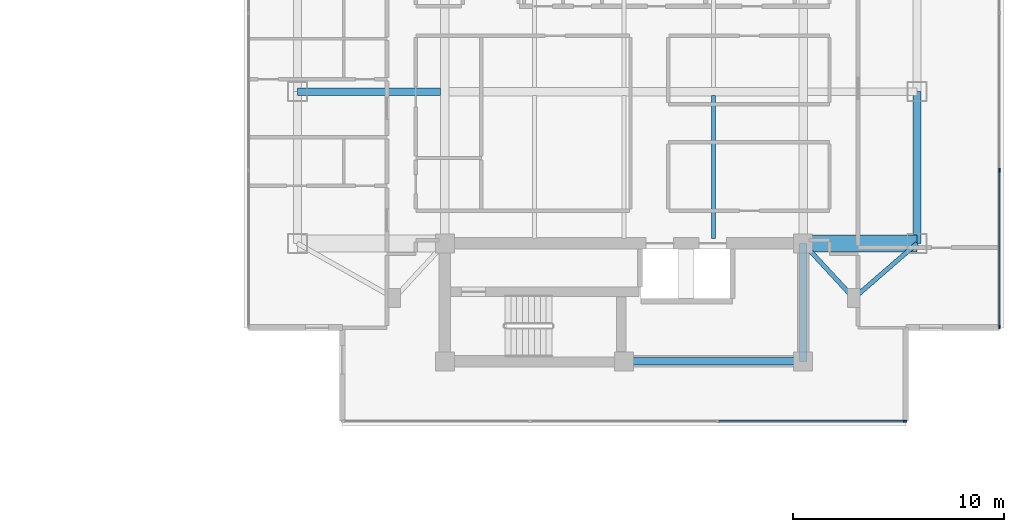
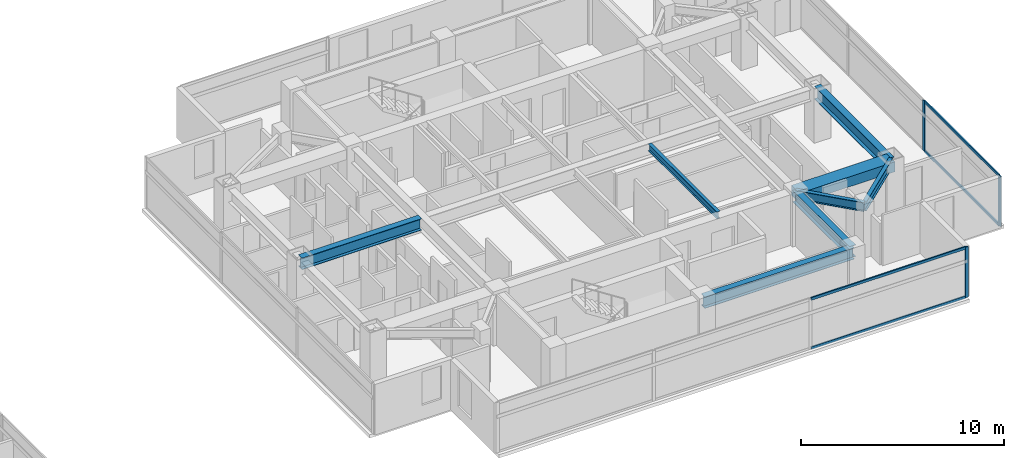
# One storey, part 9 of 26: 8 beams, 7 members, 2 elements without a shape of their own.
"""IFC4 building model written with IfcOpenShell, lengths in metres."""

from ifc_helpers import new_model, si_unit, direction, frame, origin, origin_2d, place, context, subcontext, project, spatial, rectangle, i_section, extrude, material, material_profile, profile_set, type_object, element, aggregate, save


model = new_model("IFC4")

# Units and contexts
model_context = context("Model", 3, precision=1e-05, world=origin(), true_north=direction((0.0, 1.0)))
body_context = subcontext(model_context, "Body", "Model", "MODEL_VIEW")
ifc_project = project(units=[si_unit("LENGTHUNIT", "METRE"), si_unit("AREAUNIT", "SQUARE_METRE"), si_unit("VOLUMEUNIT", "CUBIC_METRE"), si_unit("PLANEANGLEUNIT", "RADIAN"), si_unit("MASSUNIT", "GRAM", prefix="KILO")], contexts=[model_context])

# Site, building, storey
site_placement = place(None, origin())
site = spatial("IfcSite", under=ifc_project, at=site_placement, CompositionType="ELEMENT")
building_placement = place(site_placement, origin())
building = spatial("IfcBuilding", under=site, at=building_placement, Name="Mirazonda Arch Towers", CompositionType="ELEMENT")
storey_placement = place(building_placement, frame((0.0, 0.0, 203.14990234375)))
storey = spatial("IfcBuildingStorey", under=building, at=storey_placement, Name="L58", CompositionType="ELEMENT", Elevation=203.14990234375)

# Beams
ifc_material_1 = material(Name="Steel ASTM A992 Grade 50", Category="steel")
ifc_material_profile_1 = material_profile(ifc_material_1, i_section(OverallWidth=0.381103515625, OverallDepth=0.77294921875, WebThickness=0.0166015625, FlangeThickness=0.027099609375, at=origin_2d()), Name="W30X173")
ifc_profile_set_1 = profile_set([ifc_material_profile_1], Name="Steel ASTM A992 Grade 50")
beam_type_1 = type_object("IfcBeamType", Name="BM-EXT-W30X173", PredefinedType="USERDEFINED", material=ifc_profile_set_1)
beam_1_placement = place(storey_placement, frame((90.39990234375, 20.800048828125, 2.66357421875), z_axis=(0.0, 1.0, 0.0), x_axis=(-1.0, 0.0, 0.0)))
element("IfcBeam", 1, at=beam_1_placement, inside=storey, type_object=beam_type_1, Name="L58 Floor Beam BM-T2-L58-NS-E-20", ObjectType="GIRDER", PredefinedType="USERDEFINED", context=body_context, shape_type="SweptSolid", body=[
    extrude(i_section(OverallWidth=0.381103515625, OverallDepth=0.77294921875, WebThickness=0.0166015625, FlangeThickness=0.027099609375, at=origin_2d()), origin(), (0.0, 0.0, 1.0), 7.199951171875),
])
ifc_material_profile_2 = material_profile(ifc_material_1, i_section(OverallWidth=0.180908203125, OverallDepth=0.4169921875, WebThickness=0.010986328125, FlangeThickness=0.018310546875, at=origin_2d()), Name="W16X57")
ifc_profile_set_2 = profile_set([ifc_material_profile_2], Name="Steel ASTM A992 Grade 50")
beam_type_2 = type_object("IfcBeamType", Name="BM-INT-W16X57", PredefinedType="JOIST", material=ifc_profile_set_2)
beam_2_placement = place(storey_placement, frame((80.75, 21.0400390625, 2.841552734375), z_axis=(0.0, 1.0, 0.0), x_axis=(-1.0, 0.0, 0.0)))
element("IfcBeam", 2, at=beam_2_placement, inside=storey, type_object=beam_type_2, Name="L58 Floor Beam BM-T2-L58-J-807-20", PredefinedType="JOIST", context=body_context, shape_type="SweptSolid", body=[
    extrude(i_section(OverallWidth=0.180908203125, OverallDepth=0.4169921875, WebThickness=0.010986328125, FlangeThickness=0.018310546875, at=origin_2d()), origin(), (0.0, 0.0, 1.0), 6.763916015625),
])
ifc_material_profile_3 = material_profile(ifc_material_1, i_section(OverallWidth=0.214111328125, OverallDepth=0.549072265625, WebThickness=0.0146484375, FlangeThickness=0.023681640625, at=origin_2d()), Name="W21X93")
ifc_profile_set_3 = profile_set([ifc_material_profile_3], Name="Steel ASTM A992 Grade 50")
beam_type_3 = type_object("IfcBeamType", Name="BM-INT-W21X93", PredefinedType="BEAM", material=ifc_profile_set_3)
beam_3_placement = place(storey_placement, frame((87.39990234375, 18.199951171875, 2.775634765625), z_axis=(-0.678251444854, 0.734829897019, 0.0), x_axis=(-0.734829897019, -0.678251444854, 0.0)))
element("IfcBeam", 3, at=beam_3_placement, inside=storey, type_object=beam_type_3, Name="L58 Floor Beam BM-T2-L58-PL-SE1", PredefinedType="BEAM", context=body_context, shape_type="SweptSolid", body=[
    extrude(i_section(OverallWidth=0.214111328125, OverallDepth=0.549072265625, WebThickness=0.0146484375, FlangeThickness=0.023681640625, at=origin_2d()), origin(), (0.0, 0.0, 1.0), 3.538330078125),
])
beam_4_placement = place(storey_placement, frame((87.39990234375, 18.199951171875, 2.775634765625), z_axis=(0.755676908098, 0.654944585876, 0.0), x_axis=(-0.654944585876, 0.755676908098, 0.0)))
element("IfcBeam", 4, at=beam_4_placement, inside=storey, type_object=beam_type_3, Name="L58 Floor Beam BM-T2-L58-PL-SE2", PredefinedType="BEAM", context=body_context, shape_type="SweptSolid", body=[
    extrude(i_section(OverallWidth=0.214111328125, OverallDepth=0.549072265625, WebThickness=0.0146484375, FlangeThickness=0.023681640625, at=origin_2d()), origin(), (0.0, 0.0, 1.0), 3.969970703125),
])
ifc_material_profile_4 = material_profile(ifc_material_1, i_section(OverallWidth=0.35498046875, OverallDepth=0.696044921875, WebThickness=0.015380859375, FlangeThickness=0.02490234375, at=origin_2d()), Name="W27X146")
ifc_profile_set_4 = profile_set([ifc_material_profile_4], Name="Steel ASTM A992 Grade 50")
beam_type_4 = type_object("IfcBeamType", Name="BM-INT-W27X146", PredefinedType="BEAM", material=ifc_profile_set_4)
beam_5_placement = place(storey_placement, frame((76.5, 15.199951171875, 2.7021484375), z_axis=(1.0, 0.0, 0.0), x_axis=(0.0, 1.0, 0.0)))
element("IfcBeam", 5, at=beam_5_placement, inside=storey, type_object=beam_type_4, Name="L58 Floor Beam BM-T2-L58-CS2", PredefinedType="BEAM", context=body_context, shape_type="SweptSolid", body=[
    extrude(i_section(OverallWidth=0.35498046875, OverallDepth=0.696044921875, WebThickness=0.015380859375, FlangeThickness=0.02490234375, at=origin_2d()), origin(), (0.0, 0.0, 1.0), 8.5),
])
beam_6_placement = place(storey_placement, frame((85.0, 15.199951171875, 2.7021484375), z_axis=(0.0, 1.0, 0.0), x_axis=(-1.0, 0.0, 0.0)))
element("IfcBeam", 6, at=beam_6_placement, inside=storey, type_object=beam_type_4, Name="L58 Floor Beam BM-T2-L58-CSE", PredefinedType="BEAM", context=body_context, shape_type="SweptSolid", body=[
    extrude(i_section(OverallWidth=0.35498046875, OverallDepth=0.696044921875, WebThickness=0.015380859375, FlangeThickness=0.02490234375, at=origin_2d()), origin(), (0.0, 0.0, 1.0), 5.60009765625),
])
beam_7_placement = place(storey_placement, frame((61.0, 28.0, 2.7021484375), z_axis=(1.0, 0.0, 0.0), x_axis=(0.0, 1.0, 0.0)))
element("IfcBeam", 7, at=beam_7_placement, inside=storey, type_object=beam_type_4, Name="L58 Floor Beam BM-T2-L58-GW2", PredefinedType="BEAM", context=body_context, shape_type="SweptSolid", body=[
    extrude(i_section(OverallWidth=0.35498046875, OverallDepth=0.696044921875, WebThickness=0.015380859375, FlangeThickness=0.02490234375, at=origin_2d()), origin(), (0.0, 0.0, 1.0), 6.800048828125),
])
ifc_material_2 = material(Name="Concrete C60/75", Category="concrete")
ifc_material_profile_5 = material_profile(ifc_material_2, rectangle(XDim=0.800048828125, YDim=0.60009765625, at=origin_2d()), Name="RCCB800x600")
ifc_profile_set_5 = profile_set([ifc_material_profile_5], Name="Concrete C60/75")
beam_type_5 = type_object("IfcBeamType", Name="CB-INT-RCCB800x600", PredefinedType="SPANDREL", material=ifc_profile_set_5)
beam_8_placement = place(storey_placement, frame((85.0, 20.800048828125, 2.75), z_axis=(1.0, 0.0, 0.0), x_axis=(0.0, 1.0, 0.0)))
element("IfcBeam", 8, at=beam_8_placement, inside=storey, type_object=beam_type_5, Name="L58 Floor Beam CBC-T2-L58-SE", PredefinedType="SPANDREL", context=body_context, shape_type="SweptSolid", body=[
    extrude(rectangle(XDim=0.800048828125, YDim=0.60009765625, at=origin_2d()), origin(), (0.0, 0.0, 1.0), 5.39990234375),
])

# Curtain wall, member
ifc_material_3 = material(Name="Anodised Aluminium and Low-E Glass", Category="aluminium")
curtain_wall_type = type_object("IfcCurtainWallType", Name="CW-RES-UNIT", PredefinedType="NOTDEFINED", material=ifc_material_3)
curtain_wall_1_placement = place(storey_placement, origin())
curtain_wall_1 = element("IfcCurtainWall", 9, at=curtain_wall_1_placement, inside=storey, type_object=curtain_wall_type, Name="L58 T2 S Facade CW-L58-T2-S", PredefinedType="NOTDEFINED")
ifc_material_4 = material(Name="Anodised Aluminium Alloy", Category="aluminium")
ifc_material_profile_6 = material_profile(ifc_material_4, rectangle(XDim=0.074951171875, YDim=0.175048828125, at=origin_2d()), Name="ALU-MULL-75x175")
ifc_profile_set_6 = profile_set([ifc_material_profile_6], Name="Anodised Aluminium Alloy")
member_type_1 = type_object("IfcMemberType", Name="MULL-CW-RES-UNIT", PredefinedType="MULLION", material=ifc_profile_set_6)
member_1_placement = place(storey_placement, frame((89.828369140625, 12.36181640625, 0.0), z_axis=(0.0, 0.0, 1.0), x_axis=(0.0, -1.0, 0.0)))
member_1 = element("IfcMember", 10, at=member_1_placement, type_object=member_type_1, Name="CW-104 mullion 1", PredefinedType="MULLION", context=body_context, shape_type="SweptSolid", body=[
    extrude(rectangle(XDim=0.074951171875, YDim=0.175048828125, at=origin_2d()), origin(), (0.0, 0.0, 1.0), 3.030029296875),
])

# Curtain wall, members
curtain_wall_2_placement = place(storey_placement, origin())
curtain_wall_2 = element("IfcCurtainWall", 11, at=curtain_wall_2_placement, inside=storey, type_object=curtain_wall_type, Name="L58 T2 E Facade CW-L58-T2-E", PredefinedType="NOTDEFINED")
member_2_placement = place(storey_placement, frame((94.305419921875, 16.8388671875, 0.0), z_axis=(0.0, 0.0, 1.0), x_axis=(-1.0, 0.0, 0.0)))
member_2 = element("IfcMember", 12, at=member_2_placement, type_object=member_type_1, Name="CW-104 mullion 1", PredefinedType="MULLION", context=body_context, shape_type="SweptSolid", body=[
    extrude(rectangle(XDim=0.074951171875, YDim=0.175048828125, at=origin_2d()), origin(), (0.0, 0.0, 1.0), 3.030029296875),
])
member_3_placement = place(storey_placement, frame((94.305419921875, 24.26708984375, 0.0), z_axis=(0.0, 0.0, 1.0), x_axis=(-1.0, 0.0, 0.0)))
member_3 = element("IfcMember", 13, at=member_3_placement, type_object=member_type_1, Name="CW-104 mullion 2", PredefinedType="MULLION", context=body_context, shape_type="SweptSolid", body=[
    extrude(rectangle(XDim=0.074951171875, YDim=0.175048828125, at=origin_2d()), origin(), (0.0, 0.0, 1.0), 3.030029296875),
])

# Member
ifc_material_profile_7 = material_profile(ifc_material_4, rectangle(XDim=0.074951171875, YDim=0.155029296875, at=origin_2d()), Name="ALU-TRAN-75x155")
ifc_profile_set_7 = profile_set([ifc_material_profile_7], Name="Anodised Aluminium Alloy")
member_type_2 = type_object("IfcMemberType", Name="TRAN-CW-RES-UNIT", PredefinedType="USERDEFINED", material=ifc_profile_set_7)
member_4_placement = place(storey_placement, frame((89.790771484375, 12.36181640625, 0.03759765625), z_axis=(-1.0, 0.0, 0.0), x_axis=(0.0, -1.0, 0.0)))
member_4 = element("IfcMember", 14, at=member_4_placement, type_object=member_type_2, Name="CW-104 transom 1.1", ObjectType="TRANSOM", PredefinedType="USERDEFINED", context=body_context, shape_type="SweptSolid", body=[
    extrude(rectangle(XDim=0.074951171875, YDim=0.155029296875, at=origin_2d()), origin(), (0.0, 0.0, 1.0), 8.798095703125),
])

member_5_placement = place(storey_placement, frame((89.790771484375, 12.36181640625, 2.99267578125), z_axis=(-1.0, 0.0, 0.0), x_axis=(0.0, -1.0, 0.0)))
member_5 = element("IfcMember", 15, at=member_5_placement, type_object=member_type_2, Name="CW-104 transom 1.2", ObjectType="TRANSOM", PredefinedType="USERDEFINED", context=body_context, shape_type="SweptSolid", body=[
    extrude(rectangle(XDim=0.074951171875, YDim=0.155029296875, at=origin_2d()), origin(), (0.0, 0.0, 1.0), 8.798095703125),
])

aggregate(curtain_wall_1, [member_1, member_4, member_5])

member_6_placement = place(storey_placement, frame((94.305419921875, 16.87646484375, 0.03759765625), z_axis=(0.0, 1.0, 0.0), x_axis=(-1.0, 0.0, 0.0)))
member_6 = element("IfcMember", 16, at=member_6_placement, type_object=member_type_2, Name="CW-104 transom 1.1", ObjectType="TRANSOM", PredefinedType="USERDEFINED", context=body_context, shape_type="SweptSolid", body=[
    extrude(rectangle(XDim=0.074951171875, YDim=0.155029296875, at=origin_2d()), origin(), (0.0, 0.0, 1.0), 7.353271484375),
])

member_7_placement = place(storey_placement, frame((94.305419921875, 16.87646484375, 2.99267578125), z_axis=(0.0, 1.0, 0.0), x_axis=(-1.0, 0.0, 0.0)))
member_7 = element("IfcMember", 17, at=member_7_placement, type_object=member_type_2, Name="CW-104 transom 1.2", ObjectType="TRANSOM", PredefinedType="USERDEFINED", context=body_context, shape_type="SweptSolid", body=[
    extrude(rectangle(XDim=0.074951171875, YDim=0.155029296875, at=origin_2d()), origin(), (0.0, 0.0, 1.0), 7.353271484375),
])

aggregate(curtain_wall_2, [member_2, member_3, member_6, member_7])

save(model, "model.ifc")
